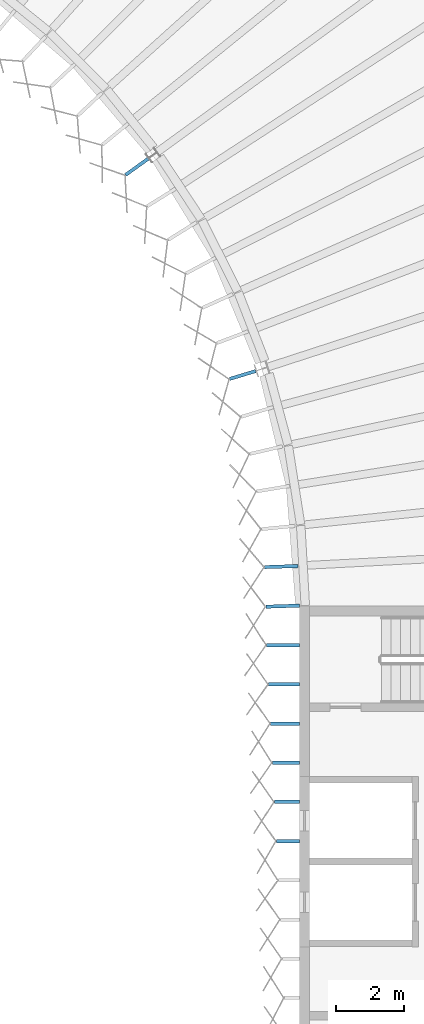
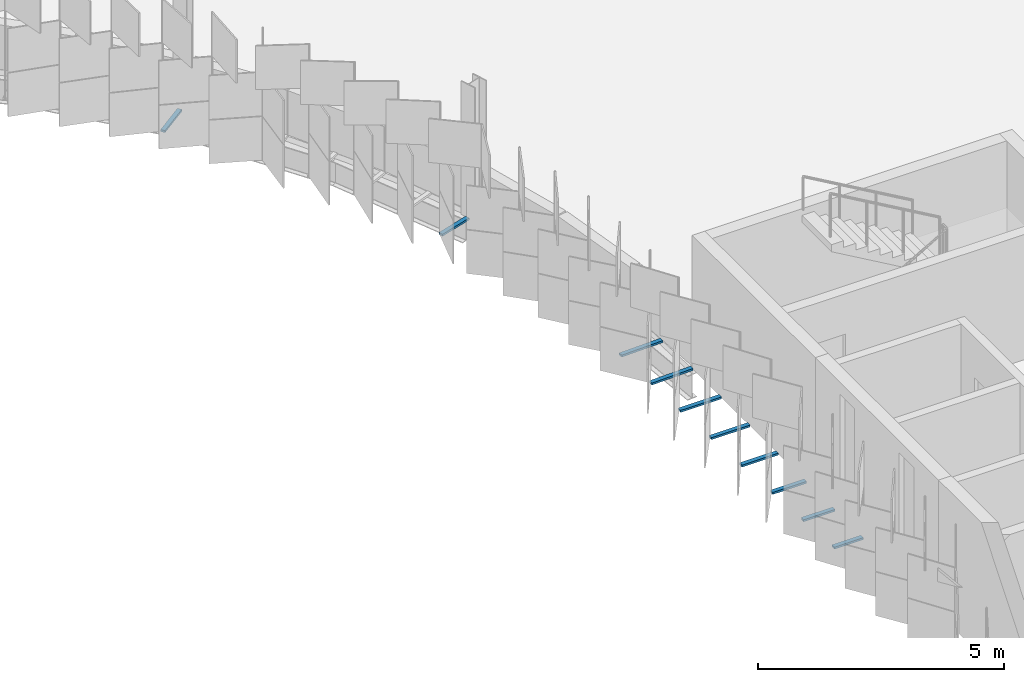
# One storey, part 169 of 198: 10 discrete accessories.
"""IFC4 building model written with IfcOpenShell, lengths in metres."""

from ifc_helpers import new_model, si_unit, direction, frame, origin, origin_2d, place, context, subcontext, project, spatial, rectangle, extrude, material, type_object, element, save


model = new_model("IFC4")

# Units and contexts
model_context = context("Model", 3, precision=1e-05, world=origin(), true_north=direction((0.0, 1.0)))
body_context = subcontext(model_context, "Body", "Model", "MODEL_VIEW")
ifc_project = project(units=[si_unit("LENGTHUNIT", "METRE"), si_unit("AREAUNIT", "SQUARE_METRE"), si_unit("VOLUMEUNIT", "CUBIC_METRE"), si_unit("PLANEANGLEUNIT", "RADIAN"), si_unit("MASSUNIT", "GRAM", prefix="KILO")], contexts=[model_context])

# Site, building, storey
site_placement = place(None, origin())
site = spatial("IfcSite", under=ifc_project, at=site_placement, CompositionType="ELEMENT")
building_placement = place(site_placement, origin())
building = spatial("IfcBuilding", under=site, at=building_placement, Name="Parallax Yard Mobility Hub", CompositionType="ELEMENT")
storey_placement = place(building_placement, frame((0.0, 0.0, 6.60009765625)))
storey = spatial("IfcBuildingStorey", under=building, at=storey_placement, Name="L02", CompositionType="ELEMENT", Elevation=6.60009765625)

# Discrete accessories
ifc_material = material(Name="Steel ASTM A36, hot-dip galvanised", Category="steel")
discrete_accessory_type = type_object("IfcDiscreteAccessoryType", Name="Hinge bracket plate 100x50", PredefinedType="BRACKET", material=ifc_material)
discrete_accessory_1_placement = place(storey_placement, frame((190.232421875, 102.885498046875, -0.02490234375), z_axis=(0.0, 0.0, 1.0), x_axis=(-0.812846684592, -0.582477696868, 0.0)))
element("IfcDiscreteAccessory", 1, at=discrete_accessory_1_placement, inside=storey, type_object=discrete_accessory_type, Name="Hinge bracket plate bay 21.1 level L02", PredefinedType="BRACKET", context=body_context, shape_type="SweptSolid", body=[
    extrude(rectangle(XDim=0.82958984375, YDim=0.10009765625, at=origin_2d()), origin(), (0.0, 0.0, 1.0), 0.050048828125),
])
discrete_accessory_2_placement = place(storey_placement, frame((193.3330078125, 96.775390625, -0.02490234375), z_axis=(0.0, 0.0, 1.0), x_axis=(-0.956940335732, -0.290284677254, 0.0)))
element("IfcDiscreteAccessory", 2, at=discrete_accessory_2_placement, inside=storey, type_object=discrete_accessory_type, Name="Hinge bracket plate bay 22.1 level L02", PredefinedType="BRACKET", context=body_context, shape_type="SweptSolid", body=[
    extrude(rectangle(XDim=0.79638671875, YDim=0.10009765625, at=origin_2d()), origin(), (0.0, 0.0, 1.0), 0.050048828125),
])
for number, where, z_axis, x_axis, name in (
    (3, (194.47021484375, 91.155029296875, -0.02490234375), (0.0, 0.0, 1.0), (-0.999464587476, -0.032719082822, 0.0), "Hinge bracket plate bay 22.6 level L02"),
    (4, (194.50830078125, 89.993408203125, -0.02490234375), (0.0, 0.0, 1.0), (-0.999464587476, -0.032719082822, 0.0), "Hinge bracket plate bay 23.1 level L02"),
):
    element("IfcDiscreteAccessory", number, at=place(storey_placement, frame(where, z_axis=z_axis, x_axis=x_axis)), inside=storey, type_object=discrete_accessory_type, Name=name, PredefinedType="BRACKET", context=body_context, shape_type="SweptSolid", body=[
        extrude(rectangle(XDim=0.984130859375, YDim=0.10009765625, at=origin_2d()), origin(), (0.0, 0.0, 1.0), 0.050048828125),
    ])
discrete_accessory_3_placement = place(storey_placement, frame((194.518310546875, 88.849609375, -0.02490234375), z_axis=(0.0, 0.0, 1.0), x_axis=(-1.0, 0.0, 0.0)))
element("IfcDiscreteAccessory", 5, at=discrete_accessory_3_placement, inside=storey, type_object=discrete_accessory_type, Name="Hinge bracket plate bay 23.2 level L02", PredefinedType="BRACKET", context=body_context, shape_type="SweptSolid", body=[
    extrude(rectangle(XDim=0.96435546875, YDim=0.10009765625, at=origin_2d()), origin(), (0.0, 0.0, 1.0), 0.050048828125),
])
discrete_accessory_4_placement = place(storey_placement, frame((194.547119140625, 87.69921875, -0.02490234375), z_axis=(0.0, 0.0, 1.0), x_axis=(-1.0, 0.0, 0.0)))
element("IfcDiscreteAccessory", 6, at=discrete_accessory_4_placement, inside=storey, type_object=discrete_accessory_type, Name="Hinge bracket plate bay 23.3 level L02", PredefinedType="BRACKET", context=body_context, shape_type="SweptSolid", body=[
    extrude(rectangle(XDim=0.906982421875, YDim=0.10009765625, at=origin_2d()), origin(), (0.0, 0.0, 1.0), 0.050048828125),
])
discrete_accessory_5_placement = place(storey_placement, frame((194.57568359375, 86.549072265625, -0.02490234375), z_axis=(0.0, 0.0, 1.0), x_axis=(-1.0, 0.0, 0.0)))
element("IfcDiscreteAccessory", 7, at=discrete_accessory_5_placement, inside=storey, type_object=discrete_accessory_type, Name="Hinge bracket plate bay 23.4 level L02", PredefinedType="BRACKET", context=body_context, shape_type="SweptSolid", body=[
    extrude(rectangle(XDim=0.849365234375, YDim=0.10009765625, at=origin_2d()), origin(), (0.0, 0.0, 1.0), 0.050048828125),
])
discrete_accessory_6_placement = place(storey_placement, frame((194.6044921875, 85.39892578125, -0.02490234375), z_axis=(0.0, 0.0, 1.0), x_axis=(-1.0, 0.0, 0.0)))
element("IfcDiscreteAccessory", 8, at=discrete_accessory_6_placement, inside=storey, type_object=discrete_accessory_type, Name="Hinge bracket plate bay 23.5 level L02", PredefinedType="BRACKET", context=body_context, shape_type="SweptSolid", body=[
    extrude(rectangle(XDim=0.7919921875, YDim=0.10009765625, at=origin_2d()), origin(), (0.0, 0.0, 1.0), 0.050048828125),
])
discrete_accessory_7_placement = place(storey_placement, frame((194.63330078125, 84.248779296875, -0.02490234375), z_axis=(0.0, 0.0, 1.0), x_axis=(-1.0, 0.0, 0.0)))
element("IfcDiscreteAccessory", 9, at=discrete_accessory_7_placement, inside=storey, type_object=discrete_accessory_type, Name="Hinge bracket plate bay 23.6 level L02", PredefinedType="BRACKET", context=body_context, shape_type="SweptSolid", body=[
    extrude(rectangle(XDim=0.734375, YDim=0.10009765625, at=origin_2d()), origin(), (0.0, 0.0, 1.0), 0.050048828125),
])
discrete_accessory_8_placement = place(storey_placement, frame((194.662109375, 83.098388671875, -0.02490234375), z_axis=(0.0, 0.0, 1.0), x_axis=(-1.0, 0.0, 0.0)))
element("IfcDiscreteAccessory", 10, at=discrete_accessory_8_placement, inside=storey, type_object=discrete_accessory_type, Name="Hinge bracket plate bay 23.7 level L02", PredefinedType="BRACKET", context=body_context, shape_type="SweptSolid", body=[
    extrude(rectangle(XDim=0.677001953125, YDim=0.10009765625, at=origin_2d()), origin(), (0.0, 0.0, 1.0), 0.050048828125),
])

save(model, "model.ifc")
